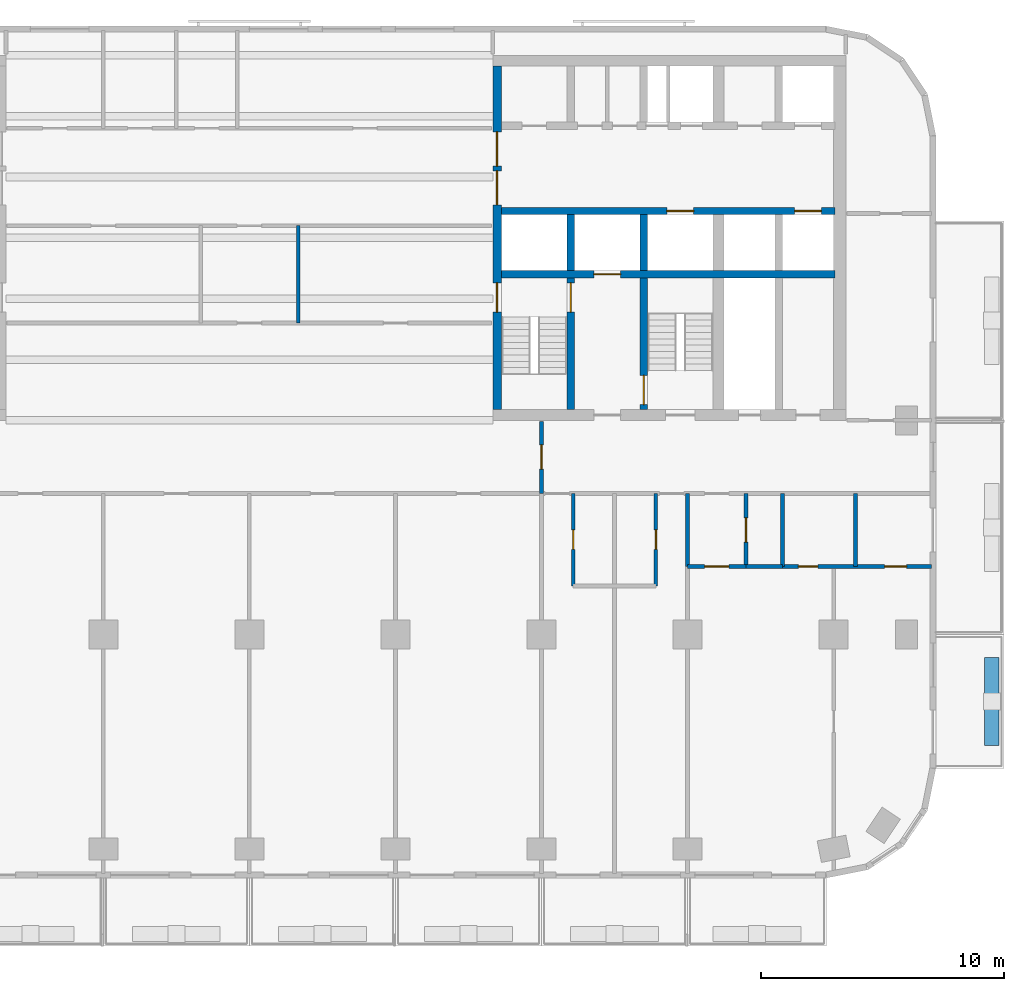
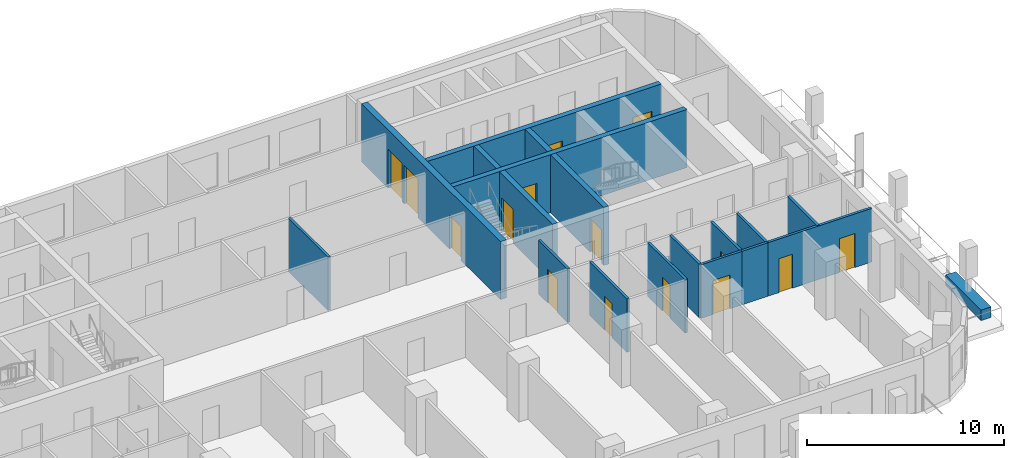
# One storey, part 5 of 11: 19 walls, 15 doors, 15 openings.
"""IFC4 building model written with IfcOpenShell, lengths in metres."""

import ifcopenshell
import ifcopenshell.guid

model = None  # the IFC model being written
_history = None  # IfcOwnerHistory: only IFC2X3 demands one
_inside = {}  # id of a spatial element -> (the spatial element, [elements in it])
_under = {}  # id of a project, library or spatial element -> (it, [spatial elements below it])
_declared = {}  # id of a project -> (the project, [libraries it declares])
_typed = {}  # id of a type object -> (the type object, [elements of that type])
_made_of = {}  # id of a material, layer set ... -> (it, [elements and type objects made of it])


def new_model(schema):
    """Start an empty IFC model of exactly this schema.

    Asked for "IFC4X3", IfcOpenShell would pick the latest addendum, in which some entities
    have other attributes; the version numbers below select the first issue.
    IFC2X3 requires an IfcOwnerHistory on every rooted entity: one is made here for all.
    """
    global model, _history
    if schema == "IFC4X3":
        model = ifcopenshell.file(schema_version=(4, 3, 0, 0))
    else:
        model = ifcopenshell.file(schema=schema)
    _inside.clear()
    _under.clear()
    _declared.clear()
    _typed.clear()
    _made_of.clear()
    _history = None
    if model.schema == "IFC2X3":
        org = make("IfcOrganization", Name="unknown")
        user = make(
            "IfcPersonAndOrganization",
            ThePerson=make("IfcPerson", FamilyName="unknown"),
            TheOrganization=org,
        )
        app = make(
            "IfcApplication",
            ApplicationDeveloper=org,
            Version="unknown",
            ApplicationFullName="unknown",
            ApplicationIdentifier="unknown",
        )
        _history = make(
            "IfcOwnerHistory",
            OwningUser=user,
            OwningApplication=app,
            ChangeAction="ADDED",
            CreationDate=0,
        )
    return model


def make(cls, **values):
    """One entity of the class cls with the attributes given. An attribute that is None is left unset."""
    return model.create_entity(
        cls, **{name: value for name, value in values.items() if value is not None}
    )


def rooted(cls, **values):
    """An entity with a GlobalId (a new one), such as an element, a storey or a relation."""
    return make(cls, GlobalId=ifcopenshell.guid.new(), OwnerHistory=_history, **values)


def si_unit(unit_type, name, prefix=None):
    """IfcSIUnit, for example si_unit("LENGTHUNIT", "METRE", prefix="MILLI")."""
    return make("IfcSIUnit", UnitType=unit_type, Prefix=prefix, Name=name)


def assignment(units):
    """IfcUnitAssignment: the units of a project."""
    return None if units is None else make("IfcUnitAssignment", Units=units)


def point(xyz):
    """IfcCartesianPoint."""
    return None if xyz is None else make("IfcCartesianPoint", Coordinates=xyz)


def direction(xyz):
    """IfcDirection."""
    return None if xyz is None else make("IfcDirection", DirectionRatios=xyz)


def frame(location, z_axis=None, x_axis=None):
    """IfcAxis2Placement3D, a coordinate frame: its origin and axes. An axis left out is left unset."""
    return make(
        "IfcAxis2Placement3D",
        Location=point(location),
        Axis=direction(z_axis),
        RefDirection=direction(x_axis),
    )


def frame_2d(location, x_axis=None):
    """IfcAxis2Placement2D, a coordinate frame in the plane: its origin and x axis."""
    return make(
        "IfcAxis2Placement2D", Location=point(location), RefDirection=direction(x_axis)
    )


def origin():
    """The frame at (0, 0, 0) with its axes left unset."""
    return frame((0.0, 0.0, 0.0))


def place(relative_to, where):
    """IfcLocalPlacement: puts the frame where relative to a parent placement (None: the world)."""
    return make(
        "IfcLocalPlacement", PlacementRelTo=relative_to, RelativePlacement=where
    )


def context(
    kind, dimensions, precision=None, world=None, true_north=None, identifier=None
):
    """IfcGeometricRepresentationContext, for example the 3D "Model" context."""
    return make(
        "IfcGeometricRepresentationContext",
        ContextIdentifier=identifier,
        ContextType=kind,
        CoordinateSpaceDimension=dimensions,
        Precision=precision,
        WorldCoordinateSystem=world,
        TrueNorth=true_north,
    )


def subcontext(parent, identifier, kind, view, scale=None):
    """IfcGeometricRepresentationSubContext, for example "Body" below "Model"."""
    return make(
        "IfcGeometricRepresentationSubContext",
        ContextIdentifier=identifier,
        ContextType=kind,
        ParentContext=parent,
        TargetScale=scale,
        TargetView=view,
    )


def project(units=None, contexts=None):
    """IfcProject with its units and contexts."""
    return rooted(
        "IfcProject",
        Name="project",
        RepresentationContexts=contexts,
        UnitsInContext=assignment(units),
    )


def spatial(cls, under=None, at=None, **own):
    """A site, building, storey or space (cls), placed at a placement, below another one or the project."""
    s = rooted(cls, ObjectPlacement=at, **own)
    if under is not None:
        _under.setdefault(under.id(), (under, []))[1].append(s)
    return s


def profile(cls, at=None, kind="AREA", **sizes):
    """A parametric profile (cls). Its sizes go by their IFC names, for example OverallWidth=200.0."""
    return make(cls, ProfileType=kind, Position=at, **sizes)


def rectangle(**sizes):
    """IfcRectangleProfileDef."""
    return profile("IfcRectangleProfileDef", **sizes)


def extrude(swept, where, along, depth):
    """IfcExtrudedAreaSolid: the profile swept, set in the frame where, extruded along a direction by depth."""
    return make(
        "IfcExtrudedAreaSolid",
        SweptArea=swept,
        Position=where,
        ExtrudedDirection=direction(along),
        Depth=depth,
    )


def shape(context_of_items, identifier, shape_type, items):
    """IfcShapeRepresentation: the items that make up one representation, for example the "Body"."""
    return make(
        "IfcShapeRepresentation",
        ContextOfItems=context_of_items,
        RepresentationIdentifier=identifier,
        RepresentationType=shape_type,
        Items=items,
    )


def material(Name=None, Category=None):
    """IfcMaterial."""
    return make("IfcMaterial", Name=Name, Category=Category)


def layer(
    of_material, thickness, ventilated=None, Name=None, Category=None, Priority=None
):
    """IfcMaterialLayer: one layer of a wall or slab, of a material (None: an air gap)."""
    return make(
        "IfcMaterialLayer",
        Material=of_material,
        LayerThickness=thickness,
        IsVentilated=ventilated,
        Name=Name,
        Category=Category,
        Priority=Priority,
    )


def layer_set(layers, Name=None):
    """IfcMaterialLayerSet."""
    return make("IfcMaterialLayerSet", MaterialLayers=layers, LayerSetName=Name)


def made_of(thing, what):
    """Note that an element or type object is made of a material, layer set ...; save() writes the relation."""
    if what is not None:
        _made_of.setdefault(what.id(), (what, []))[1].append(thing)
    return thing


def type_object(cls, material=None, **own):
    """A type object (cls), such as IfcWallType, which elements share."""
    return made_of(rooted(cls, **own), material)


def element(
    cls,
    number,
    at=None,
    inside=None,
    cuts=None,
    type_object=None,
    material=None,
    context=None,
    identifier="Body",
    shape_type=None,
    held_by="IfcProductDefinitionShape",
    body=None,
    shapes=None,
    **own,
):
    """One element of the class cls, such as IfcWall. Its Tag is "e" and its number.

    at: its placement. inside: the storey or other place that contains it. cuts: it is an
    opening in that element (IfcRelVoidsElement). A single representation is given by context,
    identifier, shape_type and body (its items); several are given by shapes. held_by: the class
    of the entity that holds the representations. save() writes the other relations.
    """
    e = rooted(cls, Tag="e%d" % number, ObjectPlacement=at, **own)
    if body is not None:
        shapes = [shape(context, identifier, shape_type, body)]
    if shapes is not None:
        e.Representation = make(held_by, Representations=shapes)
    if inside is not None:
        _inside.setdefault(inside.id(), (inside, []))[1].append(e)
    if cuts is not None:
        rooted(
            "IfcRelVoidsElement", RelatingBuildingElement=cuts, RelatedOpeningElement=e
        )
    if type_object is not None:
        _typed.setdefault(type_object.id(), (type_object, []))[1].append(e)
    return made_of(e, material)


def fill(opening, filler):
    """IfcRelFillsElement: the door or window that sits in an opening."""
    return rooted(
        "IfcRelFillsElement",
        RelatingOpeningElement=opening,
        RelatedBuildingElement=filler,
    )


def aggregate(whole, parts):
    """IfcRelAggregates: a whole, such as a stair, and the parts it consists of."""
    return rooted("IfcRelAggregates", RelatingObject=whole, RelatedObjects=parts)


def save(model, path):
    """Write the relations noted so far, then the file.

    IfcRelAggregates (storeys below a building ...), IfcRelContainedInSpatialStructure (elements
    in a storey), IfcRelDefinesByType, IfcRelAssociatesMaterial and IfcRelDeclares: one each for
    every whole, place, type object, material and project.
    """
    for whole, parts in _under.values():
        aggregate(whole, parts)
    for where, things in _inside.values():
        rooted(
            "IfcRelContainedInSpatialStructure",
            RelatedElements=things,
            RelatingStructure=where,
        )
    for kind, things in _typed.values():
        rooted("IfcRelDefinesByType", RelatedObjects=things, RelatingType=kind)
    for what, things in _made_of.values():
        rooted("IfcRelAssociatesMaterial", RelatedObjects=things, RelatingMaterial=what)
    for by, libraries in _declared.values():
        rooted("IfcRelDeclares", RelatingContext=by, RelatedDefinitions=libraries)
    model.write(path)


model = new_model("IFC4")

# Units and contexts
model_context = context("Model", 3, precision=1e-05, world=origin(), true_north=direction((0.0, 1.0)))
body_context = subcontext(model_context, "Body", "Model", "MODEL_VIEW")
ifc_project = project(units=[si_unit("LENGTHUNIT", "METRE"), si_unit("AREAUNIT", "SQUARE_METRE"), si_unit("VOLUMEUNIT", "CUBIC_METRE"), si_unit("PLANEANGLEUNIT", "RADIAN"), si_unit("MASSUNIT", "GRAM", prefix="KILO")], contexts=[model_context])

# Site, building, storey
site_placement = place(None, origin())
site = spatial("IfcSite", under=ifc_project, at=site_placement, CompositionType="ELEMENT")
building_placement = place(site_placement, origin())
building = spatial("IfcBuilding", under=site, at=building_placement, Name="Torana Hotel and Residences", CompositionType="ELEMENT")
storey_placement = place(building_placement, frame((0.0, 0.0, 163.199951171875)))
storey = spatial("IfcBuildingStorey", under=building, at=storey_placement, Name="L42", CompositionType="ELEMENT", Elevation=163.199951171875)

# Wall, openings, doors
ifc_material_1 = material(Name="Concrete C70/85", Category="concrete")
ifc_layer_1 = layer(ifc_material_1, 0.300048828125)
ifc_layer_set_1 = layer_set([ifc_layer_1], Name="CORE WALL 300 C70/85")
wall_type_1 = type_object("IfcWallType", Name="CORE WALL 300 C70/85", PredefinedType="SHEAR", material=ifc_layer_set_1)
wall_1_placement = place(storey_placement, frame((10.35009765625, -6.39990234375, 0.0), z_axis=(0.0, 0.0, 1.0), x_axis=(1.0, 0.0, 0.0)))
wall_1 = element("IfcWall", 1, at=wall_1_placement, inside=storey, type_object=wall_type_1, Name="Core wall E row-S", PredefinedType="SHEAR", context=body_context, shape_type="SweptSolid", body=[
    extrude(rectangle(XDim=13.699951171875, YDim=0.300048828125, at=frame_2d((6.85009765625, 0.0))), origin(), (0.0, 0.0, 1.0), 3.60009765625),
])
opening_1_placement = place(wall_1_placement, frame((12.050048828125, 0.0, 0.0)))
opening_1 = element("IfcOpeningElement", 2, at=opening_1_placement, cuts=wall_1, Name="Opening LD", PredefinedType="OPENING", context=body_context, shape_type="SweptSolid", body=[
    extrude(rectangle(XDim=1.10009765625, YDim=2.10009765625, at=frame_2d((0.550048828125, 1.050048828125))), frame((0.0, 0.159912109375, 0.0), z_axis=(0.0, -1.0, 0.0), x_axis=(1.0, 0.0, 0.0)), (0.0, 0.0, 1.0), 0.320068359375),
])
opening_2_placement = place(wall_1_placement, frame((6.800048828125, 0.0, 0.0)))
opening_2 = element("IfcOpeningElement", 3, at=opening_2_placement, cuts=wall_1, Name="Opening LD", PredefinedType="OPENING", context=body_context, shape_type="SweptSolid", body=[
    extrude(rectangle(XDim=1.10009765625, YDim=2.10009765625, at=frame_2d((0.550048828125, 1.050048828125))), frame((0.0, 0.159912109375, 0.0), z_axis=(0.0, -1.0, 0.0), x_axis=(1.0, 0.0, 0.0)), (0.0, 0.0, 1.0), 0.320068359375),
])
ifc_material_2 = material(Name="Stainless steel 316", Category="steel")
door_type_1 = type_object("IfcDoorType", Name="LIFT LANDING DOOR LD 1100x2100", OperationType="DOUBLE_DOOR_SLIDING", PredefinedType="USERDEFINED", material=ifc_material_2)
door_1_placement = place(opening_1_placement, origin())
door_1 = element("IfcDoor", 4, at=door_1_placement, inside=storey, type_object=door_type_1, Name="Lift landing door M4 L42", ObjectType="LIFT LANDING DOOR", OperationType="DOUBLE_DOOR_SLIDING", OverallHeight=2.10009765625, OverallWidth=1.10009765625, PredefinedType="USERDEFINED", context=body_context, shape_type="SweptSolid", body=[
    extrude(rectangle(XDim=1.10009765625, YDim=2.10009765625, at=frame_2d((0.550048828125, 1.050048828125))), frame((0.0, 0.02490234375, 0.0), z_axis=(0.0, -1.0, 0.0), x_axis=(1.0, 0.0, 0.0)), (0.0, 0.0, 1.0), 0.050048828125),
])
fill(opening_1, door_1)
door_2_placement = place(opening_2_placement, origin())
door_2 = element("IfcDoor", 5, at=door_2_placement, inside=storey, type_object=door_type_1, Name="Lift landing door SV2 L42", ObjectType="LIFT LANDING DOOR", OperationType="DOUBLE_DOOR_SLIDING", OverallHeight=2.10009765625, OverallWidth=1.10009765625, PredefinedType="USERDEFINED", context=body_context, shape_type="SweptSolid", body=[
    extrude(rectangle(XDim=1.10009765625, YDim=2.10009765625, at=frame_2d((0.550048828125, 1.050048828125))), frame((0.0, 0.02490234375, 0.0), z_axis=(0.0, -1.0, 0.0), x_axis=(1.0, 0.0, 0.0)), (0.0, 0.0, 1.0), 0.050048828125),
])
fill(opening_2, door_2)

# Wall, opening, door
wall_2_placement = place(storey_placement, frame((10.35009765625, -9.0, 0.0), z_axis=(0.0, 0.0, 1.0), x_axis=(1.0, 0.0, 0.0)))
wall_2 = element("IfcWall", 6, at=wall_2_placement, inside=storey, type_object=wall_type_1, Name="Core wall E band", PredefinedType="SHEAR", context=body_context, shape_type="SweptSolid", body=[
    extrude(rectangle(XDim=13.699951171875, YDim=0.300048828125, at=frame_2d((6.85009765625, 0.0))), origin(), (0.0, 0.0, 1.0), 3.60009765625),
])
opening_3_placement = place(wall_2_placement, frame((3.800048828125, 0.0, 0.0)))
opening_3 = element("IfcOpeningElement", 7, at=opening_3_placement, cuts=wall_2, Name="Opening LD", PredefinedType="OPENING", context=body_context, shape_type="SweptSolid", body=[
    extrude(rectangle(XDim=1.10009765625, YDim=2.10009765625, at=frame_2d((0.550048828125, 1.050048828125))), frame((0.0, 0.159912109375, 0.0), z_axis=(0.0, -1.0, 0.0), x_axis=(1.0, 0.0, 0.0)), (0.0, 0.0, 1.0), 0.320068359375),
])
door_3_placement = place(opening_3_placement, origin())
door_3 = element("IfcDoor", 8, at=door_3_placement, inside=storey, type_object=door_type_1, Name="Lift landing door FF2 L42", ObjectType="LIFT LANDING DOOR", OperationType="DOUBLE_DOOR_SLIDING", OverallHeight=2.10009765625, OverallWidth=1.10009765625, PredefinedType="USERDEFINED", context=body_context, shape_type="SweptSolid", body=[
    extrude(rectangle(XDim=1.10009765625, YDim=2.10009765625, at=frame_2d((0.550048828125, 1.050048828125))), frame((0.0, 0.02490234375, 0.0), z_axis=(0.0, -1.0, 0.0), x_axis=(1.0, 0.0, 0.0)), (0.0, 0.0, 1.0), 0.050048828125),
])
fill(opening_3, door_3)

# Wall
wall_3_placement = place(storey_placement, frame((13.199951171875, -8.85009765625, 0.0), z_axis=(0.0, 0.0, 1.0), x_axis=(0.0, 1.0, 0.0)))
element("IfcWall", 9, at=wall_3_placement, inside=storey, type_object=wall_type_1, Name="Core wall E x3.05-S", PredefinedType="SHEAR", context=body_context, shape_type="SweptSolid", body=[
    extrude(rectangle(XDim=2.300048828125, YDim=0.300048828125, at=frame_2d((1.14990234375, 0.0))), origin(), (0.0, 0.0, 1.0), 3.60009765625),
])

# Wall, opening, door
wall_4_placement = place(storey_placement, frame((13.199951171875, -14.550048828125, 0.0), z_axis=(0.0, 0.0, 1.0), x_axis=(0.0, 1.0, 0.0)))
wall_4 = element("IfcWall", 10, at=wall_4_placement, inside=storey, type_object=wall_type_1, Name="Core wall E x3.05-band", PredefinedType="SHEAR", context=body_context, shape_type="SweptSolid", body=[
    extrude(rectangle(XDim=5.400146484375, YDim=0.300048828125, at=frame_2d((2.7001953125, 0.0))), origin(), (0.0, 0.0, 1.0), 3.60009765625),
])
opening_4_placement = place(wall_4_placement, frame((4.0, 0.0, 0.0)))
opening_4 = element("IfcOpeningElement", 11, at=opening_4_placement, cuts=wall_4, Name="Opening L42-29", PredefinedType="OPENING", context=body_context, shape_type="SweptSolid", body=[
    extrude(rectangle(XDim=1.199951171875, YDim=2.10009765625, at=frame_2d((0.60009765625, 1.050048828125))), frame((0.0, 0.159912109375, 0.0), z_axis=(0.0, -1.0, 0.0), x_axis=(1.0, 0.0, 0.0)), (0.0, 0.0, 1.0), 0.320068359375),
])
ifc_material_3 = material(Name="Steel S235", Category="steel")
door_type_2 = type_object("IfcDoorType", Name="STAIR FIRE DOOR D3 1200x2100", OperationType="SINGLE_SWING_LEFT", PredefinedType="DOOR", material=ifc_material_3)
door_4_placement = place(opening_4_placement, origin())
door_4 = element("IfcDoor", 12, at=door_4_placement, inside=storey, type_object=door_type_2, Name="Stair-A-lobby door L42", OperationType="SINGLE_SWING_LEFT", OverallHeight=2.10009765625, OverallWidth=1.199951171875, PredefinedType="DOOR", context=body_context, shape_type="SweptSolid", body=[
    extrude(rectangle(XDim=1.199951171875, YDim=2.10009765625, at=frame_2d((0.60009765625, 1.050048828125))), frame((0.0, 0.02490234375, 0.0), z_axis=(0.0, -1.0, 0.0), x_axis=(1.0, 0.0, 0.0)), (0.0, 0.0, 1.0), 0.050048828125),
])
fill(opening_4, door_4)

# Wall
wall_5_placement = place(storey_placement, frame((16.199951171875, -8.85009765625, 0.0), z_axis=(0.0, 0.0, 1.0), x_axis=(0.0, 1.0, 0.0)))
element("IfcWall", 13, at=wall_5_placement, inside=storey, type_object=wall_type_1, Name="Core wall E x6.05-S", PredefinedType="SHEAR", context=body_context, shape_type="SweptSolid", body=[
    extrude(rectangle(XDim=2.300048828125, YDim=0.300048828125, at=frame_2d((1.14990234375, 0.0))), origin(), (0.0, 0.0, 1.0), 3.60009765625),
])

# Wall, opening, door
wall_6_placement = place(storey_placement, frame((16.199951171875, -14.550048828125, 0.0), z_axis=(0.0, 0.0, 1.0), x_axis=(0.0, 1.0, 0.0)))
wall_6 = element("IfcWall", 14, at=wall_6_placement, inside=storey, type_object=wall_type_1, Name="Core wall E x6.05-band", PredefinedType="SHEAR", context=body_context, shape_type="SweptSolid", body=[
    extrude(rectangle(XDim=5.400146484375, YDim=0.300048828125, at=frame_2d((2.7001953125, 0.0))), origin(), (0.0, 0.0, 1.0), 3.60009765625),
])
opening_5_placement = place(wall_6_placement, frame((0.199951171875, 0.0, 0.0)))
opening_5 = element("IfcOpeningElement", 15, at=opening_5_placement, cuts=wall_6, Name="Opening L42-30", PredefinedType="OPENING", context=body_context, shape_type="SweptSolid", body=[
    extrude(rectangle(XDim=1.199951171875, YDim=2.10009765625, at=frame_2d((0.60009765625, 1.050048828125))), frame((0.0, 0.159912109375, 0.0), z_axis=(0.0, -1.0, 0.0), x_axis=(1.0, 0.0, 0.0)), (0.0, 0.0, 1.0), 0.320068359375),
])
door_5_placement = place(opening_5_placement, frame((0.60009765625, 0.0, 0.0), z_axis=(0.0, 0.0, 1.0), x_axis=(-1.0, 0.0, 0.0)))
door_5 = element("IfcDoor", 16, at=door_5_placement, inside=storey, type_object=door_type_2, Name="Stair-B-lobby door L42", OperationType="SINGLE_SWING_LEFT", OverallHeight=2.10009765625, OverallWidth=1.199951171875, PredefinedType="DOOR", context=body_context, shape_type="SweptSolid", body=[
    extrude(rectangle(XDim=1.199951171875, YDim=2.10009765625, at=frame_2d((0.0, 1.050048828125))), frame((0.0, -0.02490234375, 0.0), z_axis=(0.0, 1.0, 0.0), x_axis=(-1.0, 0.0, 0.0)), (0.0, 0.0, 1.0), 0.050048828125),
])
fill(opening_5, door_5)

# Wall, openings, doors
ifc_material_4 = material(Name="Concrete C70/85", Category="concrete")
ifc_layer_2 = layer(ifc_material_4, 0.35009765625)
ifc_layer_set_2 = layer_set([ifc_layer_2], Name="CORE WALL 350 C70/85")
wall_type_2 = type_object("IfcWallType", Name="CORE WALL 350 C70/85", PredefinedType="SHEAR", material=ifc_layer_set_2)
wall_7_placement = place(storey_placement, frame((10.175048828125, -14.550048828125, 0.0), z_axis=(0.0, 0.0, 1.0), x_axis=(0.0, 1.0, 0.0)))
wall_7 = element("IfcWall", 17, at=wall_7_placement, inside=storey, type_object=wall_type_2, Name="Core wall E arch", PredefinedType="SHEAR", context=body_context, shape_type="SweptSolid", body=[
    extrude(rectangle(XDim=14.10009765625, YDim=0.35009765625, at=frame_2d((7.050048828125, 0.0))), origin(), (0.0, 0.0, 1.0), 3.60009765625),
])
opening_6_placement = place(wall_7_placement, frame((8.39990234375, 0.0, 0.0)))
opening_6 = element("IfcOpeningElement", 18, at=opening_6_placement, cuts=wall_7, Name="Opening L42-16", PredefinedType="OPENING", context=body_context, shape_type="SweptSolid", body=[
    extrude(rectangle(XDim=1.39990234375, YDim=2.39990234375, at=frame_2d((0.699951171875, 1.199951171875))), frame((0.0, 0.18505859375, 0.0), z_axis=(0.0, -1.0, 0.0), x_axis=(1.0, 0.0, 0.0)), (0.0, 0.0, 1.0), 0.3701171875),
])
opening_7_placement = place(wall_7_placement, frame((10.0, 0.0, 0.0)))
opening_7 = element("IfcOpeningElement", 19, at=opening_7_placement, cuts=wall_7, Name="Opening L42-17", PredefinedType="OPENING", context=body_context, shape_type="SweptSolid", body=[
    extrude(rectangle(XDim=1.39990234375, YDim=2.39990234375, at=frame_2d((0.699951171875, 1.199951171875))), frame((0.0, 0.18505859375, 0.0), z_axis=(0.0, -1.0, 0.0), x_axis=(1.0, 0.0, 0.0)), (0.0, 0.0, 1.0), 0.3701171875),
])
opening_8_placement = place(wall_7_placement, frame((4.0, 0.0, 0.0)))
opening_8 = element("IfcOpeningElement", 20, at=opening_8_placement, cuts=wall_7, Name="Opening L42-18", PredefinedType="OPENING", context=body_context, shape_type="SweptSolid", body=[
    extrude(rectangle(XDim=1.199951171875, YDim=2.10009765625, at=frame_2d((0.60009765625, 1.050048828125))), frame((0.0, 0.18505859375, 0.0), z_axis=(0.0, -1.0, 0.0), x_axis=(1.0, 0.0, 0.0)), (0.0, 0.0, 1.0), 0.3701171875),
])
ifc_material_5 = material(Name="Steel S235", Category="steel")
door_type_3 = type_object("IfcDoorType", Name="LOBBY FIRE DOOR D4 1400x2400", OperationType="DOUBLE_DOOR_SINGLE_SWING", PredefinedType="DOOR", material=ifc_material_5)
door_6_placement = place(opening_6_placement, origin())
door_6 = element("IfcDoor", 21, at=door_6_placement, inside=storey, type_object=door_type_3, Name="Lobby-1 door L42", OperationType="DOUBLE_DOOR_SINGLE_SWING", OverallHeight=2.39990234375, OverallWidth=1.39990234375, PredefinedType="DOOR", context=body_context, shape_type="SweptSolid", body=[
    extrude(rectangle(XDim=1.39990234375, YDim=2.39990234375, at=frame_2d((0.699951171875, 1.199951171875))), frame((0.0, 0.02490234375, 0.0), z_axis=(0.0, -1.0, 0.0), x_axis=(1.0, 0.0, 0.0)), (0.0, 0.0, 1.0), 0.050048828125),
])
fill(opening_6, door_6)
door_7_placement = place(opening_7_placement, origin())
door_7 = element("IfcDoor", 22, at=door_7_placement, inside=storey, type_object=door_type_3, Name="Lobby-2 door L42", OperationType="DOUBLE_DOOR_SINGLE_SWING", OverallHeight=2.39990234375, OverallWidth=1.39990234375, PredefinedType="DOOR", context=body_context, shape_type="SweptSolid", body=[
    extrude(rectangle(XDim=1.39990234375, YDim=2.39990234375, at=frame_2d((0.699951171875, 1.199951171875))), frame((0.0, 0.02490234375, 0.0), z_axis=(0.0, -1.0, 0.0), x_axis=(1.0, 0.0, 0.0)), (0.0, 0.0, 1.0), 0.050048828125),
])
fill(opening_7, door_7)
door_8_placement = place(opening_8_placement, frame((0.60009765625, 0.0, 0.0), z_axis=(0.0, 0.0, 1.0), x_axis=(-1.0, 0.0, 0.0)))
door_8 = element("IfcDoor", 23, at=door_8_placement, inside=storey, type_object=door_type_2, Name="Stair-A door L42", OperationType="SINGLE_SWING_RIGHT", OverallHeight=2.10009765625, OverallWidth=1.199951171875, PredefinedType="DOOR", context=body_context, shape_type="SweptSolid", body=[
    extrude(rectangle(XDim=1.199951171875, YDim=2.10009765625, at=frame_2d((0.0, 1.050048828125))), frame((0.0, -0.02490234375, 0.0), z_axis=(0.0, 1.0, 0.0), x_axis=(-1.0, 0.0, 0.0)), (0.0, 0.0, 1.0), 0.050048828125),
])
fill(opening_8, door_8)

# Wall, opening, door
ifc_material_6 = material(Name="Gypsum plaster")
ifc_layer_3 = layer(ifc_material_6, 0.014892578125, Name="Plaster", Category="finish")
ifc_material_7 = material(Name="Concrete blockwork", Category="masonry")
ifc_layer_4 = layer(ifc_material_7, 0.1201171875, Name="Blockwork", Category="structure")
ifc_layer_5 = layer(ifc_material_6, 0.014892578125, Name="Plaster", Category="finish")
ifc_layer_set_3 = layer_set([ifc_layer_3, ifc_layer_4, ifc_layer_5], Name="FIRE PARTITION 150 BLOCKWORK")
wall_type_3 = type_object("IfcWallType", Name="FIRE PARTITION 150 BLOCKWORK", PredefinedType="PARTITIONING", material=ifc_layer_set_3)
wall_8_placement = place(storey_placement, frame((20.39990234375, -21.0, 0.0), z_axis=(0.0, 0.0, 1.0), x_axis=(0.0, 1.0, 0.0)))
wall_8 = element("IfcWall", 24, at=wall_8_placement, inside=storey, type_object=wall_type_3, Name="Partition L42", PredefinedType="PARTITIONING", context=body_context, shape_type="SweptSolid", body=[
    extrude(rectangle(XDim=3.0, YDim=0.14990234375, at=frame_2d((1.5, 0.0))), origin(), (0.0, 0.0, 1.0), 3.320068359375),
])
opening_9_placement = place(wall_8_placement, frame((1.0, 0.0, 0.0)))
opening_9 = element("IfcOpeningElement", 25, at=opening_9_placement, cuts=wall_8, Name="Opening L42-58", PredefinedType="OPENING", context=body_context, shape_type="SweptSolid", body=[
    extrude(rectangle(XDim=1.0, YDim=2.10009765625, at=frame_2d((0.5, 1.050048828125))), frame((0.0, 0.0849609375, 0.0), z_axis=(0.0, -1.0, 0.0), x_axis=(1.0, 0.0, 0.0)), (0.0, 0.0, 1.0), 0.169921875),
])
ifc_material_8 = material(Name="Steel S235", Category="steel")
door_type_4 = type_object("IfcDoorType", Name="ENTRY FIRE DOOR D6 1000x2100", OperationType="SINGLE_SWING_LEFT", PredefinedType="DOOR", material=ifc_material_8)
door_9_placement = place(opening_9_placement, frame((0.5, 0.0, 0.0), z_axis=(0.0, 0.0, 1.0), x_axis=(-1.0, 0.0, 0.0)))
door_9 = element("IfcDoor", 26, at=door_9_placement, inside=storey, type_object=door_type_4, Name="Door L42", OperationType="SINGLE_SWING_LEFT", OverallHeight=2.10009765625, OverallWidth=1.0, PredefinedType="DOOR", context=body_context, shape_type="SweptSolid", body=[
    extrude(rectangle(XDim=1.0, YDim=2.10009765625, at=frame_2d((0.0, 1.050048828125))), frame((0.0, -0.02490234375, 0.0), z_axis=(0.0, 1.0, 0.0), x_axis=(-1.0, 0.0, 0.0)), (0.0, 0.0, 1.0), 0.050048828125),
])
fill(opening_9, door_9)

# Wall
wall_9_placement = place(storey_placement, frame((18.0, -21.0, 0.0), z_axis=(0.0, 0.0, 1.0), x_axis=(0.0, 1.0, 0.0)))
element("IfcWall", 27, at=wall_9_placement, inside=storey, type_object=wall_type_3, Name="Partition L42", PredefinedType="PARTITIONING", context=body_context, shape_type="SweptSolid", body=[
    extrude(rectangle(XDim=3.0, YDim=0.14990234375, at=frame_2d((1.5, 0.0))), origin(), (0.0, 0.0, 1.0), 3.320068359375),
])

# Wall, opening, door
wall_10_placement = place(storey_placement, frame((12.0, -18.0, 0.0), z_axis=(0.0, 0.0, 1.0), x_axis=(0.0, 1.0, 0.0)))
wall_10 = element("IfcWall", 28, at=wall_10_placement, inside=storey, type_object=wall_type_3, Name="Partition L42", PredefinedType="PARTITIONING", context=body_context, shape_type="SweptSolid", body=[
    extrude(rectangle(XDim=2.949951171875, YDim=0.14990234375, at=frame_2d((1.47509765625, 0.0))), origin(), (0.0, 0.0, 1.0), 3.320068359375),
])
opening_10_placement = place(wall_10_placement, frame((1.0, 0.0, 0.0)))
opening_10 = element("IfcOpeningElement", 29, at=opening_10_placement, cuts=wall_10, Name="Opening L42-34", PredefinedType="OPENING", context=body_context, shape_type="SweptSolid", body=[
    extrude(rectangle(XDim=1.0, YDim=2.10009765625, at=frame_2d((0.5, 1.050048828125))), frame((0.0, 0.0849609375, 0.0), z_axis=(0.0, -1.0, 0.0), x_axis=(1.0, 0.0, 0.0)), (0.0, 0.0, 1.0), 0.169921875),
])
door_10_placement = place(opening_10_placement, origin())
door_10 = element("IfcDoor", 30, at=door_10_placement, inside=storey, type_object=door_type_4, Name="Door L42", OperationType="SINGLE_SWING_RIGHT", OverallHeight=2.10009765625, OverallWidth=1.0, PredefinedType="DOOR", context=body_context, shape_type="SweptSolid", body=[
    extrude(rectangle(XDim=1.0, YDim=2.10009765625, at=frame_2d((0.5, 1.050048828125))), frame((0.0, 0.02490234375, 0.0), z_axis=(0.0, -1.0, 0.0), x_axis=(1.0, 0.0, 0.0)), (0.0, 0.0, 1.0), 0.050048828125),
])
fill(opening_10, door_10)

# Wall
wall_11_placement = place(storey_placement, frame((2.0, -11.0, 0.0), z_axis=(0.0, 0.0, 1.0), x_axis=(0.0, 1.0, 0.0)))
element("IfcWall", 31, at=wall_11_placement, inside=storey, type_object=wall_type_3, Name="Partition L42", PredefinedType="PARTITIONING", context=body_context, shape_type="SweptSolid", body=[
    extrude(rectangle(XDim=4.0, YDim=0.14990234375, at=frame_2d((2.0, 0.0))), origin(), (0.0, 0.0, 1.0), 3.320068359375),
])

# Wall, opening, door
wall_12_placement = place(storey_placement, frame((18.0, -21.0, 0.0), z_axis=(0.0, 0.0, 1.0), x_axis=(1.0, 0.0, 0.0)))
wall_12 = element("IfcWall", 32, at=wall_12_placement, inside=storey, type_object=wall_type_3, Name="Partition L42", PredefinedType="PARTITIONING", context=body_context, shape_type="SweptSolid", body=[
    extrude(rectangle(XDim=2.39990234375, YDim=0.14990234375, at=frame_2d((1.199951171875, 0.0))), origin(), (0.0, 0.0, 1.0), 3.320068359375),
])
opening_11_placement = place(wall_12_placement, frame((0.699951171875, 0.0, 0.0)))
opening_11 = element("IfcOpeningElement", 33, at=opening_11_placement, cuts=wall_12, Name="Opening L42-59", PredefinedType="OPENING", context=body_context, shape_type="SweptSolid", body=[
    extrude(rectangle(XDim=1.0, YDim=2.10009765625, at=frame_2d((0.5, 1.050048828125))), frame((0.0, 0.0849609375, 0.0), z_axis=(0.0, -1.0, 0.0), x_axis=(1.0, 0.0, 0.0)), (0.0, 0.0, 1.0), 0.169921875),
])
door_11_placement = place(opening_11_placement, frame((0.5, 0.0, 0.0), z_axis=(0.0, 0.0, 1.0), x_axis=(-1.0, 0.0, 0.0)))
door_11 = element("IfcDoor", 34, at=door_11_placement, inside=storey, type_object=door_type_4, Name="Door L42", OperationType="SINGLE_SWING_LEFT", OverallHeight=2.10009765625, OverallWidth=1.0, PredefinedType="DOOR", context=body_context, shape_type="SweptSolid", body=[
    extrude(rectangle(XDim=1.0, YDim=2.10009765625, at=frame_2d((0.0, 1.050048828125))), frame((0.0, -0.02490234375, 0.0), z_axis=(0.0, 1.0, 0.0), x_axis=(-1.0, 0.0, 0.0)), (0.0, 0.0, 1.0), 0.050048828125),
])
fill(opening_11, door_11)

# Wall
ifc_material_9 = material(Name="Gypsum plasterboard")
ifc_layer_6 = layer(ifc_material_9, 0.012451171875, Name="Plasterboard", Category="finish")
ifc_layer_7 = layer(ifc_material_9, 0.012451171875, Name="Plasterboard", Category="finish")
ifc_material_10 = material(Name="Steel S280GD", Category="steel")
ifc_layer_8 = layer(ifc_material_10, 0.10009765625, Name="Steel studs with mineral wool", Category="insulation")
ifc_layer_9 = layer(ifc_material_9, 0.012451171875, Name="Plasterboard", Category="finish")
ifc_layer_10 = layer(ifc_material_9, 0.012451171875, Name="Plasterboard", Category="finish")
ifc_layer_set_4 = layer_set([ifc_layer_6, ifc_layer_7, ifc_layer_8, ifc_layer_9, ifc_layer_10], Name="PARTITION 150 PLASTERBOARD")
wall_type_4 = type_object("IfcWallType", Name="PARTITION 150 PLASTERBOARD", PredefinedType="PARTITIONING", material=ifc_layer_set_4)
wall_13_placement = place(storey_placement, frame((24.89990234375, -21.0, 0.0), z_axis=(0.0, 0.0, 1.0), x_axis=(0.0, 1.0, 0.0)))
element("IfcWall", 35, at=wall_13_placement, inside=storey, type_object=wall_type_4, Name="Partition L42", PredefinedType="PARTITIONING", context=body_context, shape_type="SweptSolid", body=[
    extrude(rectangle(XDim=3.0, YDim=0.14990234375, at=frame_2d((1.5, 0.0))), origin(), (0.0, 0.0, 1.0), 3.320068359375),
])

# Wall, opening, door
wall_14_placement = place(storey_placement, frame((16.699951171875, -21.800048828125, 0.0), z_axis=(0.0, 0.0, 1.0), x_axis=(0.0, 1.0, 0.0)))
wall_14 = element("IfcWall", 36, at=wall_14_placement, inside=storey, type_object=wall_type_4, Name="Partition L42", PredefinedType="PARTITIONING", context=body_context, shape_type="SweptSolid", body=[
    extrude(rectangle(XDim=3.800048828125, YDim=0.14990234375, at=frame_2d((1.89990234375, 0.0))), origin(), (0.0, 0.0, 1.0), 3.320068359375),
])
opening_12_placement = place(wall_14_placement, frame((1.5, 0.0, 0.0)))
opening_12 = element("IfcOpeningElement", 37, at=opening_12_placement, cuts=wall_14, Name="Opening L42-52", PredefinedType="OPENING", context=body_context, shape_type="SweptSolid", body=[
    extrude(rectangle(XDim=0.800048828125, YDim=2.10009765625, at=frame_2d((0.39990234375, 1.050048828125))), frame((0.0, 0.0849609375, 0.0), z_axis=(0.0, -1.0, 0.0), x_axis=(1.0, 0.0, 0.0)), (0.0, 0.0, 1.0), 0.169921875),
])
ifc_material_11 = material(Name="Timber door, painted", Category="wood")
door_type_5 = type_object("IfcDoorType", Name="BATH DOOR D13 800x2100", OperationType="SINGLE_SWING_LEFT", PredefinedType="DOOR", material=ifc_material_11)
door_12_placement = place(opening_12_placement, origin())
door_12 = element("IfcDoor", 38, at=door_12_placement, inside=storey, type_object=door_type_5, Name="Door L42", OperationType="SINGLE_SWING_RIGHT", OverallHeight=2.10009765625, OverallWidth=0.800048828125, PredefinedType="DOOR", context=body_context, shape_type="SweptSolid", body=[
    extrude(rectangle(XDim=0.800048828125, YDim=2.10009765625, at=frame_2d((0.39990234375, 1.050048828125))), frame((0.0, 0.02490234375, 0.0), z_axis=(0.0, -1.0, 0.0), x_axis=(1.0, 0.0, 0.0)), (0.0, 0.0, 1.0), 0.050048828125),
])
fill(opening_12, door_12)

wall_15_placement = place(storey_placement, frame((13.300048828125, -21.800048828125, 0.0), z_axis=(0.0, 0.0, 1.0), x_axis=(0.0, 1.0, 0.0)))
wall_15 = element("IfcWall", 39, at=wall_15_placement, inside=storey, type_object=wall_type_4, Name="Partition L42", PredefinedType="PARTITIONING", context=body_context, shape_type="SweptSolid", body=[
    extrude(rectangle(XDim=3.800048828125, YDim=0.14990234375, at=frame_2d((1.89990234375, 0.0))), origin(), (0.0, 0.0, 1.0), 3.320068359375),
])
opening_13_placement = place(wall_15_placement, frame((1.5, 0.0, 0.0)))
opening_13 = element("IfcOpeningElement", 40, at=opening_13_placement, cuts=wall_15, Name="Opening L42-51", PredefinedType="OPENING", context=body_context, shape_type="SweptSolid", body=[
    extrude(rectangle(XDim=0.800048828125, YDim=2.10009765625, at=frame_2d((0.39990234375, 1.050048828125))), frame((0.0, 0.0849609375, 0.0), z_axis=(0.0, -1.0, 0.0), x_axis=(1.0, 0.0, 0.0)), (0.0, 0.0, 1.0), 0.169921875),
])
door_13_placement = place(opening_13_placement, origin())
door_13 = element("IfcDoor", 41, at=door_13_placement, inside=storey, type_object=door_type_5, Name="Door L42", OperationType="SINGLE_SWING_RIGHT", OverallHeight=2.10009765625, OverallWidth=0.800048828125, PredefinedType="DOOR", context=body_context, shape_type="SweptSolid", body=[
    extrude(rectangle(XDim=0.800048828125, YDim=2.10009765625, at=frame_2d((0.39990234375, 1.050048828125))), frame((0.0, 0.02490234375, 0.0), z_axis=(0.0, -1.0, 0.0), x_axis=(1.0, 0.0, 0.0)), (0.0, 0.0, 1.0), 0.050048828125),
])
fill(opening_13, door_13)

# Wall, openings, doors
wall_16_placement = place(storey_placement, frame((21.89990234375, -21.0, 0.0), z_axis=(0.0, 0.0, 1.0), x_axis=(1.0, 0.0, 0.0)))
wall_16 = element("IfcWall", 42, at=wall_16_placement, inside=storey, type_object=wall_type_4, Name="Partition L42", PredefinedType="PARTITIONING", context=body_context, shape_type="SweptSolid", body=[
    extrude(rectangle(XDim=6.1201171875, YDim=0.14990234375, at=frame_2d((3.06005859375, 0.0))), origin(), (0.0, 0.0, 1.0), 3.320068359375),
])
opening_14_placement = place(wall_16_placement, frame((0.64990234375, 0.0, 0.0)))
opening_14 = element("IfcOpeningElement", 43, at=opening_14_placement, cuts=wall_16, Name="Opening L42-60", PredefinedType="OPENING", context=body_context, shape_type="SweptSolid", body=[
    extrude(rectangle(XDim=0.800048828125, YDim=2.10009765625, at=frame_2d((0.39990234375, 1.050048828125))), frame((0.0, 0.0849609375, 0.0), z_axis=(0.0, -1.0, 0.0), x_axis=(1.0, 0.0, 0.0)), (0.0, 0.0, 1.0), 0.169921875),
])
opening_15_placement = place(wall_16_placement, frame((4.199951171875, 0.0, 0.0)))
opening_15 = element("IfcOpeningElement", 44, at=opening_15_placement, cuts=wall_16, Name="Opening L42-61", PredefinedType="OPENING", context=body_context, shape_type="SweptSolid", body=[
    extrude(rectangle(XDim=0.89990234375, YDim=2.10009765625, at=frame_2d((0.449951171875, 1.050048828125))), frame((0.0, 0.0849609375, 0.0), z_axis=(0.0, -1.0, 0.0), x_axis=(1.0, 0.0, 0.0)), (0.0, 0.0, 1.0), 0.169921875),
])
door_14_placement = place(opening_14_placement, origin())
door_14 = element("IfcDoor", 45, at=door_14_placement, inside=storey, type_object=door_type_5, Name="Door L42", OperationType="SINGLE_SWING_RIGHT", OverallHeight=2.10009765625, OverallWidth=0.800048828125, PredefinedType="DOOR", context=body_context, shape_type="SweptSolid", body=[
    extrude(rectangle(XDim=0.800048828125, YDim=2.10009765625, at=frame_2d((0.39990234375, 1.050048828125))), frame((0.0, 0.02490234375, 0.0), z_axis=(0.0, -1.0, 0.0), x_axis=(1.0, 0.0, 0.0)), (0.0, 0.0, 1.0), 0.050048828125),
])
fill(opening_14, door_14)
ifc_material_12 = material(Name="Timber door, oiled ash", Category="wood")
door_type_6 = type_object("IfcDoorType", Name="ROOM DOOR D7 900x2100", OperationType="SINGLE_SWING_LEFT", PredefinedType="DOOR", material=ifc_material_12)
door_15_placement = place(opening_15_placement, origin())
door_15 = element("IfcDoor", 46, at=door_15_placement, inside=storey, type_object=door_type_6, Name="Door L42", OperationType="SINGLE_SWING_LEFT", OverallHeight=2.10009765625, OverallWidth=0.89990234375, PredefinedType="DOOR", context=body_context, shape_type="SweptSolid", body=[
    extrude(rectangle(XDim=0.89990234375, YDim=2.10009765625, at=frame_2d((0.449951171875, 1.050048828125))), frame((0.0, 0.02490234375, 0.0), z_axis=(0.0, -1.0, 0.0), x_axis=(1.0, 0.0, 0.0)), (0.0, 0.0, 1.0), 0.050048828125),
])
fill(opening_15, door_15)

# Walls
ifc_material_13 = material(Name="Concrete C40/50 precast", Category="concrete")
ifc_layer_11 = layer(ifc_material_13, 0.10009765625, Name="Planter shell", Category="structure")
ifc_material_14 = material(Name="Root resistant membrane")
ifc_layer_12 = layer(ifc_material_14, 0.00390625, Name="Waterproofing membrane", Category="membrane")
ifc_material_15 = material(Name="Drainage board with filter fleece")
ifc_layer_13 = layer(ifc_material_15, 0.02001953125, Name="Drainage board", Category="drainage")
ifc_material_16 = material(Name="Growing medium")
ifc_layer_14 = layer(ifc_material_16, 0.47607421875, Name="Planting substrate", Category="soil")
ifc_layer_set_5 = layer_set([ifc_layer_11, ifc_layer_12, ifc_layer_13, ifc_layer_14], Name="PL1 BALCONY PLANTER 600")
wall_type_5 = type_object("IfcWallType", Name="PL1 BALCONY PLANTER 600", PredefinedType="USERDEFINED", material=ifc_layer_set_5)
wall_17_placement = place(storey_placement, frame((30.5, -24.75, 0.0), z_axis=(0.0, 0.0, 1.0), x_axis=(0.0, -1.0, 0.0)))
element("IfcWall", 47, at=wall_17_placement, inside=storey, type_object=wall_type_5, Name="Planter 12", ObjectType="PLANTER", PredefinedType="USERDEFINED", context=body_context, shape_type="SweptSolid", body=[
    extrude(rectangle(XDim=3.60009765625, YDim=0.60009765625, at=frame_2d((1.800048828125, 0.0))), origin(), (0.0, 0.0, 1.0), 0.650146484375),
])
ifc_material_17 = material(Name="Ceramic tile on adhesive")
ifc_layer_15 = layer(ifc_material_17, 0.010009765625, Name="Wall tile", Category="finish")
ifc_material_18 = material(Name="Cement render")
ifc_layer_16 = layer(ifc_material_18, 0.010009765625, Name="Render", Category="finish")
ifc_layer_17 = layer(ifc_material_7, 0.110107421875, Name="Blockwork", Category="structure")
ifc_layer_18 = layer(ifc_material_18, 0.010009765625, Name="Render", Category="finish")
ifc_layer_19 = layer(ifc_material_17, 0.010009765625, Name="Wall tile", Category="finish")
ifc_layer_set_6 = layer_set([ifc_layer_15, ifc_layer_16, ifc_layer_17, ifc_layer_18, ifc_layer_19], Name="WC PARTITION 150")
wall_type_6 = type_object("IfcWallType", Name="WC PARTITION 150", PredefinedType="PLUMBINGWALL", material=ifc_layer_set_6)
wall_18_placement = place(storey_placement, frame((21.89990234375, -21.0, 0.0), z_axis=(0.0, 0.0, 1.0), x_axis=(0.0, 1.0, 0.0)))
element("IfcWall", 48, at=wall_18_placement, inside=storey, type_object=wall_type_6, Name="Partition L42", PredefinedType="PLUMBINGWALL", context=body_context, shape_type="SweptSolid", body=[
    extrude(rectangle(XDim=3.0, YDim=0.14990234375, at=frame_2d((1.5, 0.0))), origin(), (0.0, 0.0, 1.0), 3.320068359375),
])
wall_19_placement = place(storey_placement, frame((20.39990234375, -21.0, 0.0), z_axis=(0.0, 0.0, 1.0), x_axis=(1.0, 0.0, 0.0)))
element("IfcWall", 49, at=wall_19_placement, inside=storey, type_object=wall_type_6, Name="Partition L42", PredefinedType="PLUMBINGWALL", context=body_context, shape_type="SweptSolid", body=[
    extrude(rectangle(XDim=1.5, YDim=0.14990234375, at=frame_2d((0.75, 0.0))), origin(), (0.0, 0.0, 1.0), 3.320068359375),
])

save(model, "model.ifc")
